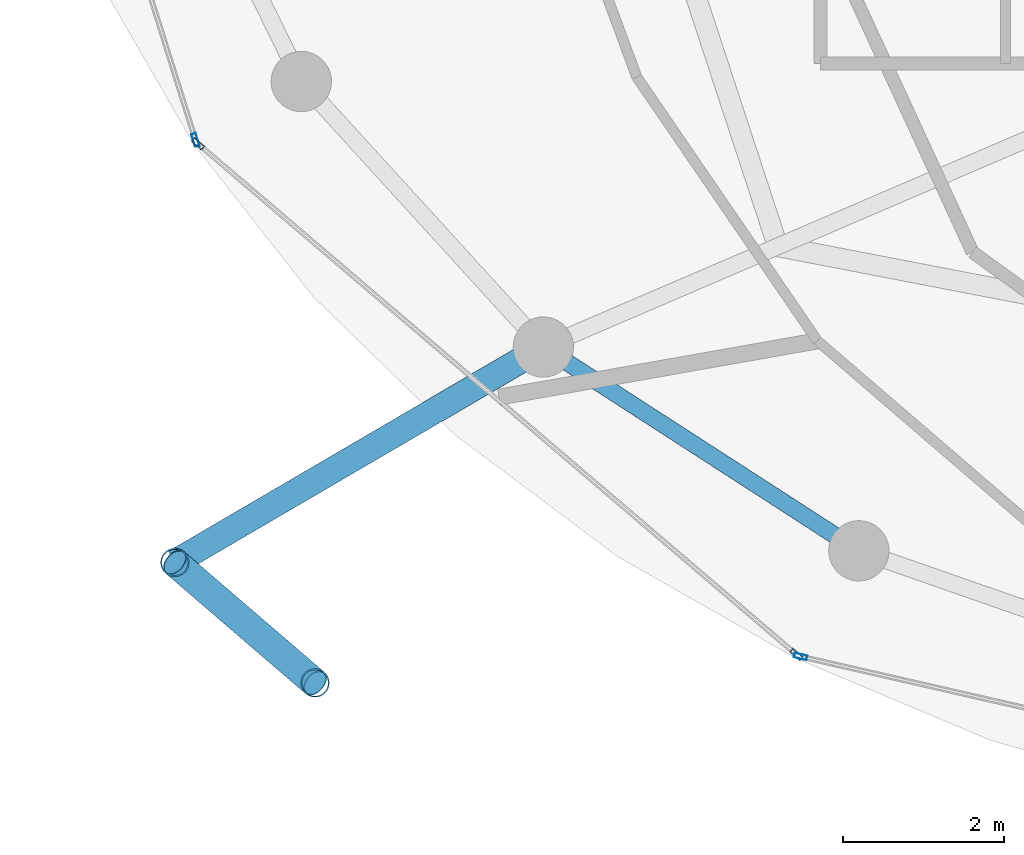
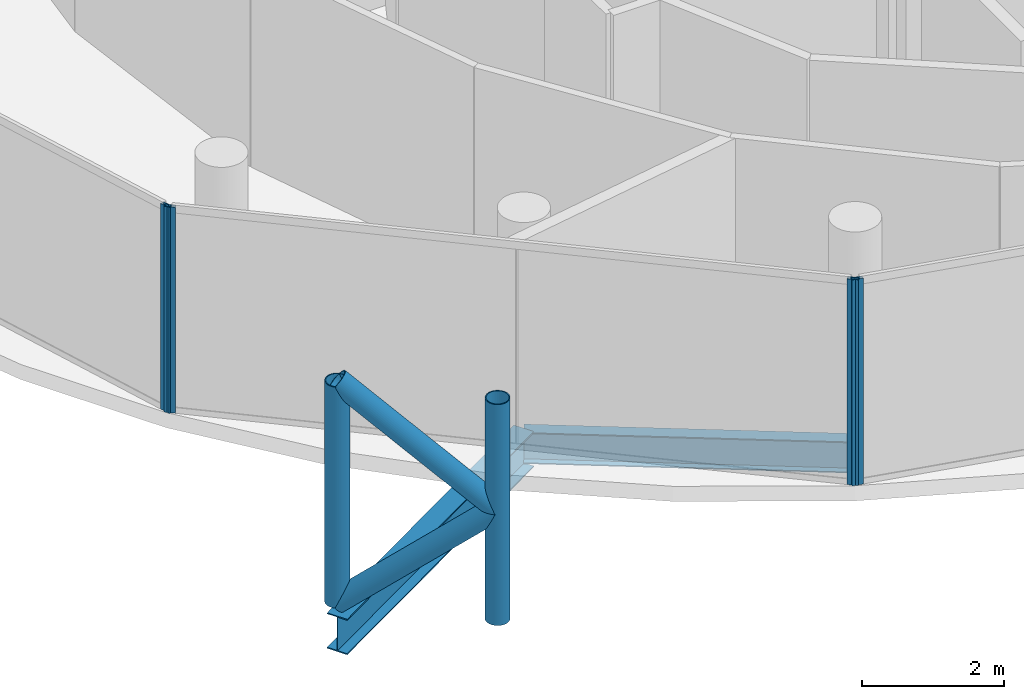
# One storey, part 2 of 24: 8 members, 2 beams, 3 elements without a shape of their own.
"""IFC4 building model written with IfcOpenShell, lengths in metres."""

import ifcopenshell
import ifcopenshell.guid

model = None  # the IFC model being written
_history = None  # IfcOwnerHistory: only IFC2X3 demands one
_inside = {}  # id of a spatial element -> (the spatial element, [elements in it])
_under = {}  # id of a project, library or spatial element -> (it, [spatial elements below it])
_declared = {}  # id of a project -> (the project, [libraries it declares])
_typed = {}  # id of a type object -> (the type object, [elements of that type])
_made_of = {}  # id of a material, layer set ... -> (it, [elements and type objects made of it])


def new_model(schema):
    """Start an empty IFC model of exactly this schema.

    Asked for "IFC4X3", IfcOpenShell would pick the latest addendum, in which some entities
    have other attributes; the version numbers below select the first issue.
    IFC2X3 requires an IfcOwnerHistory on every rooted entity: one is made here for all.
    """
    global model, _history
    if schema == "IFC4X3":
        model = ifcopenshell.file(schema_version=(4, 3, 0, 0))
    else:
        model = ifcopenshell.file(schema=schema)
    _inside.clear()
    _under.clear()
    _declared.clear()
    _typed.clear()
    _made_of.clear()
    _history = None
    if model.schema == "IFC2X3":
        org = make("IfcOrganization", Name="unknown")
        user = make(
            "IfcPersonAndOrganization",
            ThePerson=make("IfcPerson", FamilyName="unknown"),
            TheOrganization=org,
        )
        app = make(
            "IfcApplication",
            ApplicationDeveloper=org,
            Version="unknown",
            ApplicationFullName="unknown",
            ApplicationIdentifier="unknown",
        )
        _history = make(
            "IfcOwnerHistory",
            OwningUser=user,
            OwningApplication=app,
            ChangeAction="ADDED",
            CreationDate=0,
        )
    return model


def make(cls, **values):
    """One entity of the class cls with the attributes given. An attribute that is None is left unset."""
    return model.create_entity(
        cls, **{name: value for name, value in values.items() if value is not None}
    )


def rooted(cls, **values):
    """An entity with a GlobalId (a new one), such as an element, a storey or a relation."""
    return make(cls, GlobalId=ifcopenshell.guid.new(), OwnerHistory=_history, **values)


def si_unit(unit_type, name, prefix=None):
    """IfcSIUnit, for example si_unit("LENGTHUNIT", "METRE", prefix="MILLI")."""
    return make("IfcSIUnit", UnitType=unit_type, Prefix=prefix, Name=name)


def assignment(units):
    """IfcUnitAssignment: the units of a project."""
    return None if units is None else make("IfcUnitAssignment", Units=units)


def point(xyz):
    """IfcCartesianPoint."""
    return None if xyz is None else make("IfcCartesianPoint", Coordinates=xyz)


def direction(xyz):
    """IfcDirection."""
    return None if xyz is None else make("IfcDirection", DirectionRatios=xyz)


def frame(location, z_axis=None, x_axis=None):
    """IfcAxis2Placement3D, a coordinate frame: its origin and axes. An axis left out is left unset."""
    return make(
        "IfcAxis2Placement3D",
        Location=point(location),
        Axis=direction(z_axis),
        RefDirection=direction(x_axis),
    )


def frame_2d(location, x_axis=None):
    """IfcAxis2Placement2D, a coordinate frame in the plane: its origin and x axis."""
    return make(
        "IfcAxis2Placement2D", Location=point(location), RefDirection=direction(x_axis)
    )


def origin():
    """The frame at (0, 0, 0) with its axes left unset."""
    return frame((0.0, 0.0, 0.0))


def origin_2d():
    """The frame at (0, 0) in the plane with its x axis left unset."""
    return frame_2d((0.0, 0.0))


def place(relative_to, where):
    """IfcLocalPlacement: puts the frame where relative to a parent placement (None: the world)."""
    return make(
        "IfcLocalPlacement", PlacementRelTo=relative_to, RelativePlacement=where
    )


def context(
    kind, dimensions, precision=None, world=None, true_north=None, identifier=None
):
    """IfcGeometricRepresentationContext, for example the 3D "Model" context."""
    return make(
        "IfcGeometricRepresentationContext",
        ContextIdentifier=identifier,
        ContextType=kind,
        CoordinateSpaceDimension=dimensions,
        Precision=precision,
        WorldCoordinateSystem=world,
        TrueNorth=true_north,
    )


def subcontext(parent, identifier, kind, view, scale=None):
    """IfcGeometricRepresentationSubContext, for example "Body" below "Model"."""
    return make(
        "IfcGeometricRepresentationSubContext",
        ContextIdentifier=identifier,
        ContextType=kind,
        ParentContext=parent,
        TargetScale=scale,
        TargetView=view,
    )


def project(units=None, contexts=None):
    """IfcProject with its units and contexts."""
    return rooted(
        "IfcProject",
        Name="project",
        RepresentationContexts=contexts,
        UnitsInContext=assignment(units),
    )


def spatial(cls, under=None, at=None, **own):
    """A site, building, storey or space (cls), placed at a placement, below another one or the project."""
    s = rooted(cls, ObjectPlacement=at, **own)
    if under is not None:
        _under.setdefault(under.id(), (under, []))[1].append(s)
    return s


def profile(cls, at=None, kind="AREA", **sizes):
    """A parametric profile (cls). Its sizes go by their IFC names, for example OverallWidth=200.0."""
    return make(cls, ProfileType=kind, Position=at, **sizes)


def hollow_rectangle(**sizes):
    """IfcRectangleHollowProfileDef."""
    return profile("IfcRectangleHollowProfileDef", **sizes)


def hollow_circle(**sizes):
    """IfcCircleHollowProfileDef."""
    return profile("IfcCircleHollowProfileDef", **sizes)


def i_section(**sizes):
    """IfcIShapeProfileDef."""
    return profile("IfcIShapeProfileDef", **sizes)


def extrude(swept, where, along, depth):
    """IfcExtrudedAreaSolid: the profile swept, set in the frame where, extruded along a direction by depth."""
    return make(
        "IfcExtrudedAreaSolid",
        SweptArea=swept,
        Position=where,
        ExtrudedDirection=direction(along),
        Depth=depth,
    )


def shape(context_of_items, identifier, shape_type, items):
    """IfcShapeRepresentation: the items that make up one representation, for example the "Body"."""
    return make(
        "IfcShapeRepresentation",
        ContextOfItems=context_of_items,
        RepresentationIdentifier=identifier,
        RepresentationType=shape_type,
        Items=items,
    )


def material(Name=None, Category=None):
    """IfcMaterial."""
    return make("IfcMaterial", Name=Name, Category=Category)


def layer(
    of_material, thickness, ventilated=None, Name=None, Category=None, Priority=None
):
    """IfcMaterialLayer: one layer of a wall or slab, of a material (None: an air gap)."""
    return make(
        "IfcMaterialLayer",
        Material=of_material,
        LayerThickness=thickness,
        IsVentilated=ventilated,
        Name=Name,
        Category=Category,
        Priority=Priority,
    )


def layer_set(layers, Name=None):
    """IfcMaterialLayerSet."""
    return make("IfcMaterialLayerSet", MaterialLayers=layers, LayerSetName=Name)


def material_profile(
    of_material, cross_section, Name=None, Category=None, Priority=None
):
    """IfcMaterialProfile: a cross section and its material."""
    return make(
        "IfcMaterialProfile",
        Name=Name,
        Material=of_material,
        Profile=cross_section,
        Priority=Priority,
        Category=Category,
    )


def profile_set(profiles, Name=None, composite=None):
    """IfcMaterialProfileSet."""
    return make(
        "IfcMaterialProfileSet",
        Name=Name,
        MaterialProfiles=profiles,
        CompositeProfile=composite,
    )


def made_of(thing, what):
    """Note that an element or type object is made of a material, layer set ...; save() writes the relation."""
    if what is not None:
        _made_of.setdefault(what.id(), (what, []))[1].append(thing)
    return thing


def type_object(cls, material=None, **own):
    """A type object (cls), such as IfcWallType, which elements share."""
    return made_of(rooted(cls, **own), material)


def element(
    cls,
    number,
    at=None,
    inside=None,
    cuts=None,
    type_object=None,
    material=None,
    context=None,
    identifier="Body",
    shape_type=None,
    held_by="IfcProductDefinitionShape",
    body=None,
    shapes=None,
    **own,
):
    """One element of the class cls, such as IfcWall. Its Tag is "e" and its number.

    at: its placement. inside: the storey or other place that contains it. cuts: it is an
    opening in that element (IfcRelVoidsElement). A single representation is given by context,
    identifier, shape_type and body (its items); several are given by shapes. held_by: the class
    of the entity that holds the representations. save() writes the other relations.
    """
    e = rooted(cls, Tag="e%d" % number, ObjectPlacement=at, **own)
    if body is not None:
        shapes = [shape(context, identifier, shape_type, body)]
    if shapes is not None:
        e.Representation = make(held_by, Representations=shapes)
    if inside is not None:
        _inside.setdefault(inside.id(), (inside, []))[1].append(e)
    if cuts is not None:
        rooted(
            "IfcRelVoidsElement", RelatingBuildingElement=cuts, RelatedOpeningElement=e
        )
    if type_object is not None:
        _typed.setdefault(type_object.id(), (type_object, []))[1].append(e)
    return made_of(e, material)


def aggregate(whole, parts):
    """IfcRelAggregates: a whole, such as a stair, and the parts it consists of."""
    return rooted("IfcRelAggregates", RelatingObject=whole, RelatedObjects=parts)


def save(model, path):
    """Write the relations noted so far, then the file.

    IfcRelAggregates (storeys below a building ...), IfcRelContainedInSpatialStructure (elements
    in a storey), IfcRelDefinesByType, IfcRelAssociatesMaterial and IfcRelDeclares: one each for
    every whole, place, type object, material and project.
    """
    for whole, parts in _under.values():
        aggregate(whole, parts)
    for where, things in _inside.values():
        rooted(
            "IfcRelContainedInSpatialStructure",
            RelatedElements=things,
            RelatingStructure=where,
        )
    for kind, things in _typed.values():
        rooted("IfcRelDefinesByType", RelatedObjects=things, RelatingType=kind)
    for what, things in _made_of.values():
        rooted("IfcRelAssociatesMaterial", RelatedObjects=things, RelatingMaterial=what)
    for by, libraries in _declared.values():
        rooted("IfcRelDeclares", RelatingContext=by, RelatedDefinitions=libraries)
    model.write(path)


model = new_model("IFC4")

# Units and contexts
model_context = context("Model", 3, precision=1e-05, world=origin(), true_north=direction((0.0, 1.0)))
body_context = subcontext(model_context, "Body", "Model", "MODEL_VIEW")
ifc_project = project(units=[si_unit("LENGTHUNIT", "METRE"), si_unit("AREAUNIT", "SQUARE_METRE"), si_unit("VOLUMEUNIT", "CUBIC_METRE"), si_unit("PLANEANGLEUNIT", "RADIAN"), si_unit("MASSUNIT", "GRAM", prefix="KILO")], contexts=[model_context])

# Site, building, storey
site_placement = place(None, origin())
site = spatial("IfcSite", under=ifc_project, at=site_placement, CompositionType="ELEMENT")
building_placement = place(site_placement, origin())
building = spatial("IfcBuilding", under=site, at=building_placement, Name="Nuhasar Tower", CompositionType="ELEMENT")
storey_placement = place(building_placement, frame((0.0, 0.0, 263.199951171875)))
storey = spatial("IfcBuildingStorey", under=building, at=storey_placement, Name="L65", CompositionType="ELEMENT", Elevation=263.199951171875)

# Beams
ifc_material_1 = material(Name="Steel S355", Category="steel")
ifc_material_profile_1 = material_profile(ifc_material_1, i_section(OverallWidth=0.2099609375, OverallDepth=0.537109375, WebThickness=0.010986328125, FlangeThickness=0.017333984375, at=origin_2d()), Name="W21X68")
ifc_profile_set_1 = profile_set([ifc_material_profile_1], Name="Steel S355")
beam_type_1 = type_object("IfcBeamType", Name="BM-RING-W21X68", PredefinedType="SPANDREL", material=ifc_profile_set_1)
beam_1_placement = place(storey_placement, frame((25.60009765625, 15.52197265625, -0.529052734375), z_axis=(0.840025485934, -0.542546940809, 0.0), x_axis=(0.542546940809, 0.840025485934, 0.0)))
element("IfcBeam", 1, at=beam_1_placement, inside=storey, type_object=beam_type_1, Name="L65 Perimeter Ring Spandrel 16", PredefinedType="SPANDREL", context=body_context, shape_type="SweptSolid", body=[
    extrude(i_section(OverallWidth=0.2099609375, OverallDepth=0.537109375, WebThickness=0.010986328125, FlangeThickness=0.017333984375, at=origin_2d()), origin(), (0.0, 0.0, 1.0), 4.67236328125),
])
ifc_material_profile_2 = material_profile(ifc_material_1, i_section(OverallWidth=0.323974609375, OverallDepth=0.611083984375, WebThickness=0.0126953125, FlangeThickness=0.01904296875, at=origin_2d()), Name="W24X104")
ifc_profile_set_2 = profile_set([ifc_material_profile_2], Name="Steel S355")
beam_type_2 = type_object("IfcBeamType", Name="BM-TIE-W24X104", PredefinedType="BEAM", material=ifc_profile_set_2)
beam_2_placement = place(storey_placement, frame((25.60009765625, 15.52197265625, -0.56494140625), z_axis=(-0.863291554686, -0.504705549413, 0.0), x_axis=(0.504705549413, -0.863291554686, 0.0)))
element("IfcBeam", 2, at=beam_2_placement, inside=storey, type_object=beam_type_2, Name="L65 Exoskeleton Node Tie Beam 08", PredefinedType="BEAM", context=body_context, shape_type="SweptSolid", body=[
    extrude(i_section(OverallWidth=0.323974609375, OverallDepth=0.611083984375, WebThickness=0.0126953125, FlangeThickness=0.01904296875, at=origin_2d()), origin(), (0.0, 0.0, 1.0), 5.309814453125),
])

# Curtain wall, member
ifc_material_2 = material(Name="Aluminium 6063-T6", Category="aluminium")
ifc_layer = layer(ifc_material_2, 0.18994140625)
ifc_layer_set = layer_set([ifc_layer], Name="Aluminium 6063-T6")
curtain_wall_type = type_object("IfcCurtainWallType", Name="CW-Z4-PEN", PredefinedType="NOTDEFINED", material=ifc_layer_set)
curtain_wall_1_placement = place(storey_placement, origin())
curtain_wall_1 = element("IfcCurtainWall", 3, at=curtain_wall_1_placement, inside=storey, type_object=curtain_wall_type, Name="L65 Unitised Curtain Wall 07", PredefinedType="NOTDEFINED")
ifc_material_profile_3 = material_profile(ifc_material_2, hollow_rectangle(XDim=0.06005859375, YDim=0.1650390625, WallThickness=0.0048828125, at=origin_2d()), Name="CWM-5")
ifc_profile_set_3 = profile_set([ifc_material_profile_3], Name="Aluminium 6063-T6")
member_type_1 = type_object("IfcMemberType", Name="CW-MUL-S5", PredefinedType="MULLION", material=ifc_profile_set_3)
member_1_placement = place(storey_placement, frame((21.27197265625, 18.0986328125, 0.0), z_axis=(0.0, 0.0, 1.0), x_axis=(0.954078526601, 0.299556614146, 0.0)))
member_1 = element("IfcMember", 4, at=member_1_placement, type_object=member_type_1, Name="CW-Z4 mullion 2", PredefinedType="MULLION", context=body_context, shape_type="SweptSolid", body=[
    extrude(hollow_rectangle(XDim=0.06005859375, YDim=0.1650390625, WallThickness=0.0048828125, at=origin_2d()), origin(), (0.0, 0.0, 1.0), 3.5400390625),
])
aggregate(curtain_wall_1, [member_1])

# Curtain wall, members
curtain_wall_2_placement = place(storey_placement, origin())
curtain_wall_2 = element("IfcCurtainWall", 5, at=curtain_wall_2_placement, inside=storey, type_object=curtain_wall_type, Name="L65 Unitised Curtain Wall 08", PredefinedType="NOTDEFINED")
member_2_placement = place(storey_placement, frame((21.3037109375, 18.050537109375, 0.0), z_axis=(0.0, 0.0, 1.0), x_axis=(0.649141996205, 0.760667252327, 0.0)))
member_2 = element("IfcMember", 6, at=member_2_placement, type_object=member_type_1, Name="CW-Z4 mullion 1", PredefinedType="MULLION", context=body_context, shape_type="SweptSolid", body=[
    extrude(hollow_rectangle(XDim=0.06005859375, YDim=0.1650390625, WallThickness=0.0048828125, at=origin_2d()), origin(), (0.0, 0.0, 1.0), 3.5400390625),
])
member_3_placement = place(storey_placement, frame((28.7470703125, 11.698486328125, 0.0), z_axis=(0.0, 0.0, 1.0), x_axis=(0.649141996205, 0.760667252327, 0.0)))
member_3 = element("IfcMember", 7, at=member_3_placement, type_object=member_type_1, Name="CW-Z4 mullion 2", PredefinedType="MULLION", context=body_context, shape_type="SweptSolid", body=[
    extrude(hollow_rectangle(XDim=0.06005859375, YDim=0.1650390625, WallThickness=0.0048828125, at=origin_2d()), origin(), (0.0, 0.0, 1.0), 3.5400390625),
])
aggregate(curtain_wall_2, [member_2, member_3])

# Curtain wall, member
curtain_wall_3_placement = place(storey_placement, origin())
curtain_wall_3 = element("IfcCurtainWall", 8, at=curtain_wall_3_placement, inside=storey, type_object=curtain_wall_type, Name="L65 Unitised Curtain Wall 09", PredefinedType="NOTDEFINED")
member_4_placement = place(storey_placement, frame((28.79931640625, 11.67236328125, 0.0), z_axis=(0.0, 0.0, 1.0), x_axis=(0.222889487645, 0.97484371891, 0.0)))
member_4 = element("IfcMember", 9, at=member_4_placement, type_object=member_type_1, Name="CW-Z4 mullion 1", PredefinedType="MULLION", context=body_context, shape_type="SweptSolid", body=[
    extrude(hollow_rectangle(XDim=0.06005859375, YDim=0.1650390625, WallThickness=0.0048828125, at=origin_2d()), origin(), (0.0, 0.0, 1.0), 3.5400390625),
])
aggregate(curtain_wall_3, [member_4])

# Members
ifc_material_3 = material(Name="Steel S460", Category="steel")
ifc_material_profile_4 = material_profile(ifc_material_3, hollow_circle(Radius=0.177734375, WallThickness=0.015869140625, at=origin_2d()), Name="HSS355.6X15.9")
ifc_profile_set_4 = profile_set([ifc_material_profile_4], Name="Steel S460")
member_type_2 = type_object("IfcMemberType", Name="EXO-BRONZE-356", PredefinedType="BRACE", material=ifc_profile_set_4)
for number, where, z_axis, x_axis, name in (
    (10, (21.01611328125, 12.842041015625, 0.0), (0.0, 0.0, 1.0), (1.0, 0.0, 0.0), "L65 Exoskeleton Chord Column EC-08A"),
    (11, (22.760009765625, 11.343017578125, 0.0), (0.0, 0.0, 1.0), (1.0, 0.0, 0.0), "L65 Exoskeleton Chord Column EC-08B"),
):
    element("IfcMember", number, at=place(storey_placement, frame(where, z_axis=z_axis, x_axis=x_axis)), inside=storey, type_object=member_type_2, Name=name, PredefinedType="BRACE", context=body_context, shape_type="SweptSolid", body=[
        extrude(hollow_circle(Radius=0.177734375, WallThickness=0.015869140625, at=origin_2d()), origin(), (0.0, 0.0, 1.0), 3.800048828125),
    ])
member_5_placement = place(storey_placement, frame((21.01611328125, 12.842041015625, 0.0), z_axis=(0.584594747408, -0.50250759472, 0.636973389203), x_axis=(0.65185738425, 0.758341579104, 0.0)))
element("IfcMember", 12, at=member_5_placement, inside=storey, type_object=member_type_2, Name="L65 Bronze Diagrid Brace W1-08", PredefinedType="BRACE", context=body_context, shape_type="SweptSolid", body=[
    extrude(hollow_circle(Radius=0.177734375, WallThickness=0.015869140625, at=origin_2d()), origin(), (0.0, 0.0, 1.0), 2.983154296875),
])
member_6_placement = place(storey_placement, frame((22.760009765625, 11.343017578125, 1.900146484375), z_axis=(-0.584625223306, 0.502533791278, 0.636924749792), x_axis=(-0.65185738425, -0.758341579104, 0.0)))
element("IfcMember", 13, at=member_6_placement, inside=storey, type_object=member_type_2, Name="L65 Bronze Diagrid Brace W2-08", PredefinedType="BRACE", context=body_context, shape_type="SweptSolid", body=[
    extrude(hollow_circle(Radius=0.177734375, WallThickness=0.015869140625, at=origin_2d()), origin(), (0.0, 0.0, 1.0), 2.98291015625),
])

save(model, "model.ifc")
